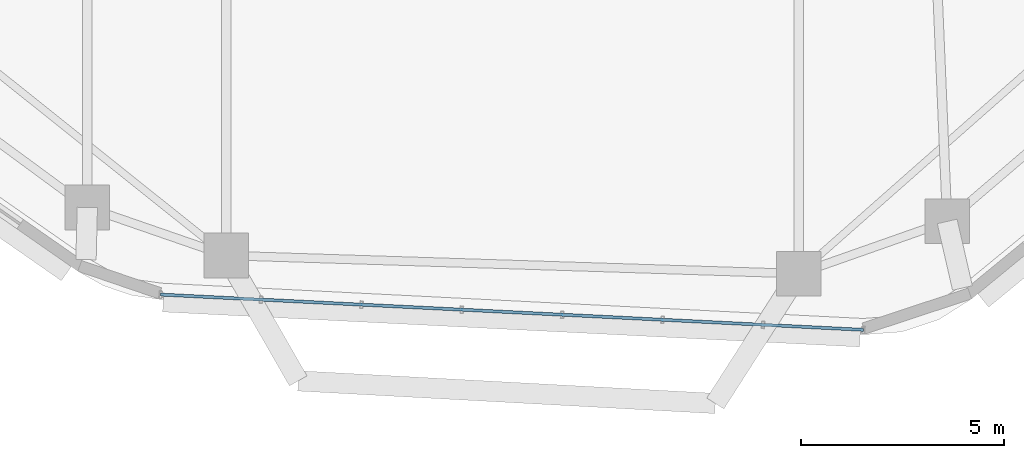
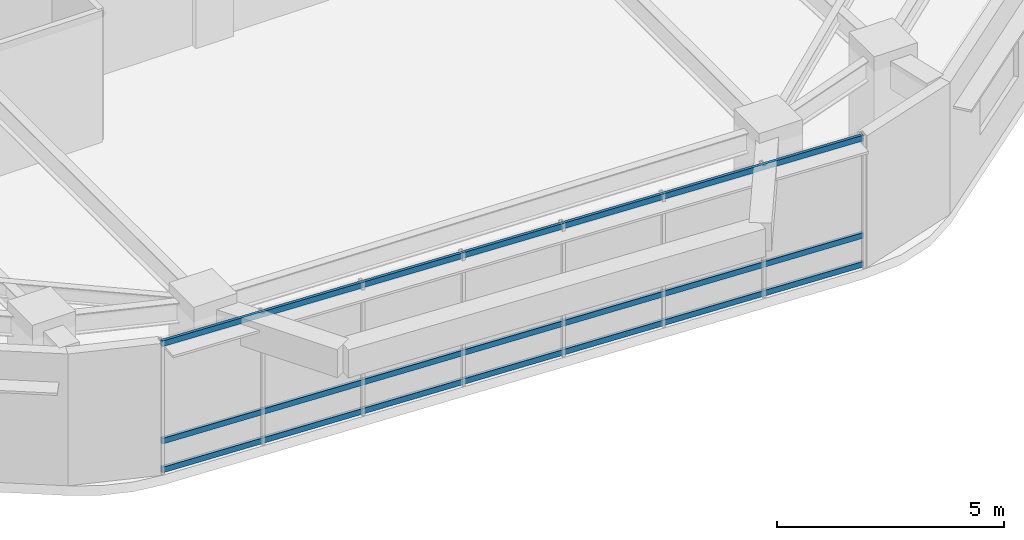
# One storey, part 3 of 14: 3 members, 1 element without a shape of its own.
"""IFC4 building model written with IfcOpenShell, lengths in metres."""

from ifc_helpers import new_model, si_unit, direction, frame, origin, origin_2d, place, context, subcontext, project, spatial, hollow_rectangle, extrude, material, material_profile, profile_set, type_object, element, aggregate, save


model = new_model("IFC4")

# Units and contexts
model_context = context("Model", 3, precision=1e-05, world=origin(), true_north=direction((0.0, 1.0)))
body_context = subcontext(model_context, "Body", "Model", "MODEL_VIEW")
ifc_project = project(units=[si_unit("LENGTHUNIT", "METRE"), si_unit("AREAUNIT", "SQUARE_METRE"), si_unit("VOLUMEUNIT", "CUBIC_METRE"), si_unit("PLANEANGLEUNIT", "RADIAN"), si_unit("MASSUNIT", "GRAM", prefix="KILO")], contexts=[model_context])

# Site, building, storey
site_placement = place(None, origin())
site = spatial("IfcSite", under=ifc_project, at=site_placement, CompositionType="ELEMENT")
building_placement = place(site_placement, origin())
building = spatial("IfcBuilding", under=site, at=building_placement, Name="Zulverin Broadcast Headquarters", CompositionType="ELEMENT")
storey_placement = place(building_placement, frame((0.0, 0.0, 140.199951171875)))
storey = spatial("IfcBuildingStorey", under=building, at=storey_placement, Name="L35", CompositionType="ELEMENT", Elevation=140.199951171875)

# Curtain wall, members
ifc_material_1 = material(Name="Waist wind-pressure unitised curtain wall", Category="aluminium")
curtain_wall_type = type_object("IfcCurtainWallType", Name="CW-TWR-WST", PredefinedType="USERDEFINED", material=ifc_material_1)
curtain_wall_placement = place(storey_placement, origin())
curtain_wall = element("IfcCurtainWall", 1, at=curtain_wall_placement, inside=storey, type_object=curtain_wall_type, Name="L35 Unitised Curtain Wall CW-L35-E1", ObjectType="UNITISED CURTAIN WALL", PredefinedType="USERDEFINED")
ifc_material_2 = material(Name="Anodized pale-metal aluminium alloy 6063-T6", Category="aluminium")
ifc_material_profile = material_profile(ifc_material_2, hollow_rectangle(XDim=0.074951171875, YDim=0.14990234375, WallThickness=0.0048828125, at=origin_2d()), Name="Anodized pale-metal aluminium alloy 6063-T6", Category="aluminium")
ifc_profile_set = profile_set([ifc_material_profile], Name="Anodized pale-metal aluminium alloy 6063-T6")
member_type = type_object("IfcMemberType", Name="CW-TRN-150", PredefinedType="USERDEFINED", material=ifc_profile_set)
member_1_placement = place(storey_placement, frame((29.19384765625, 3.163818359375, 0.074951171875), z_axis=(0.9987441059, -0.050102005256, 0.0), x_axis=(0.050102005256, 0.9987441059, 0.0)))
member_1 = element("IfcMember", 2, at=member_1_placement, type_object=member_type, Name="CW-L35-E1 Transom 0", ObjectType="TRANSOM", PredefinedType="USERDEFINED", context=body_context, shape_type="SweptSolid", body=[
    extrude(hollow_rectangle(XDim=0.074951171875, YDim=0.14990234375, WallThickness=0.0048828125, at=origin_2d()), origin(), (0.0, 0.0, 1.0), 17.332763671875),
])
member_2_placement = place(storey_placement, frame((29.19384765625, 3.163818359375, 0.849609375), z_axis=(0.9987441059, -0.050102005256, 0.0), x_axis=(0.050102005256, 0.9987441059, 0.0)))
member_2 = element("IfcMember", 3, at=member_2_placement, type_object=member_type, Name="CW-L35-E1 Transom 1", ObjectType="TRANSOM", PredefinedType="USERDEFINED", context=body_context, shape_type="SweptSolid", body=[
    extrude(hollow_rectangle(XDim=0.074951171875, YDim=0.14990234375, WallThickness=0.0048828125, at=origin_2d()), origin(), (0.0, 0.0, 1.0), 17.332763671875),
])
member_3_placement = place(storey_placement, frame((29.19384765625, 3.163818359375, 3.465087890625), z_axis=(0.9987441059, -0.050102005256, 0.0), x_axis=(0.050102005256, 0.9987441059, 0.0)))
member_3 = element("IfcMember", 4, at=member_3_placement, type_object=member_type, Name="CW-L35-E1 Transom 2", ObjectType="TRANSOM", PredefinedType="USERDEFINED", context=body_context, shape_type="SweptSolid", body=[
    extrude(hollow_rectangle(XDim=0.074951171875, YDim=0.14990234375, WallThickness=0.0048828125, at=origin_2d()), origin(), (0.0, 0.0, 1.0), 17.332763671875),
])
aggregate(curtain_wall, [member_1, member_2, member_3])

save(model, "model.ifc")
